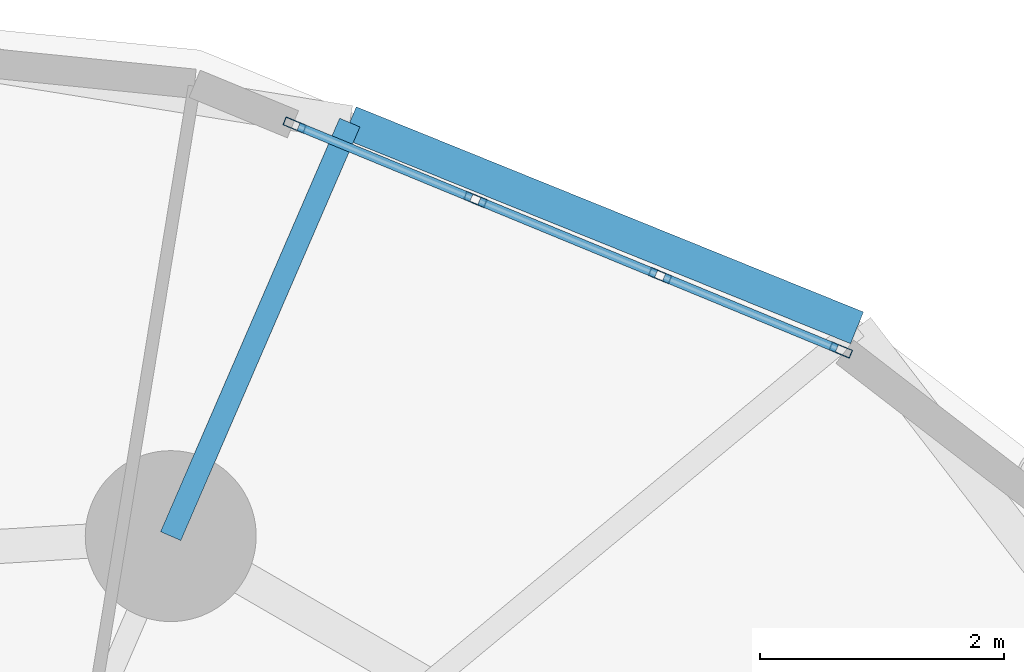
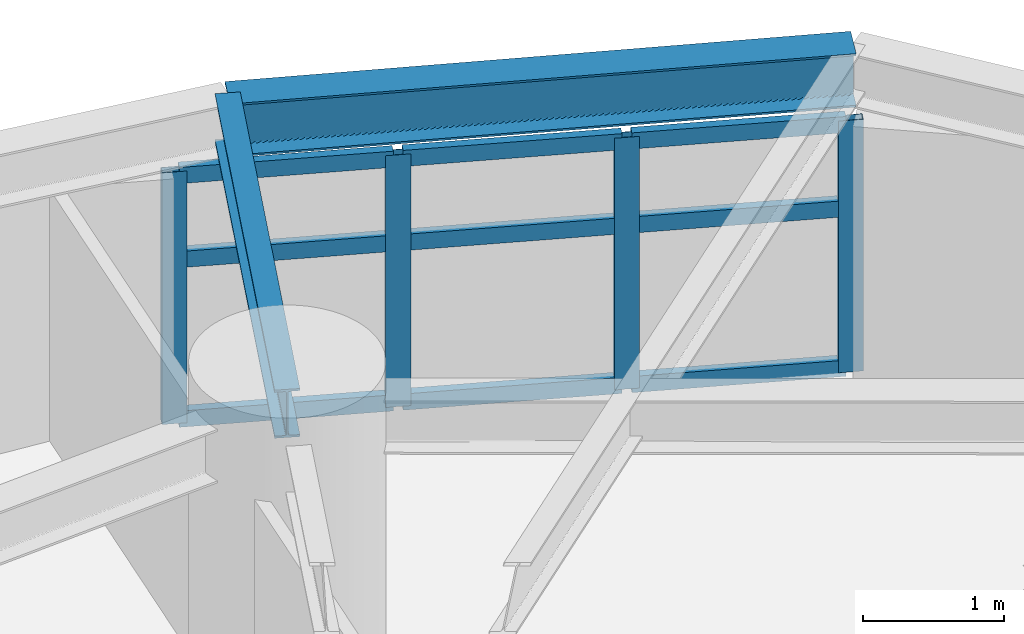
# One storey, part 6 of 17: 13 members, 2 beams, 1 element without a shape of its own.
"""IFC4 building model written with IfcOpenShell, lengths in metres."""

from ifc_helpers import new_model, si_unit, direction, frame, origin, origin_2d, place, context, subcontext, project, spatial, hollow_rectangle, i_section, extrude, material, layer, layer_set, material_profile, profile_set, type_object, element, aggregate, save


model = new_model("IFC4")

# Units and contexts
model_context = context("Model", 3, precision=1e-05, world=origin(), true_north=direction((0.0, 1.0)))
body_context = subcontext(model_context, "Body", "Model", "MODEL_VIEW")
ifc_project = project(units=[si_unit("LENGTHUNIT", "METRE"), si_unit("AREAUNIT", "SQUARE_METRE"), si_unit("VOLUMEUNIT", "CUBIC_METRE"), si_unit("PLANEANGLEUNIT", "RADIAN"), si_unit("MASSUNIT", "GRAM", prefix="KILO")], contexts=[model_context])

# Site, building, storey
site_placement = place(None, origin())
site = spatial("IfcSite", under=ifc_project, at=site_placement, CompositionType="ELEMENT")
building_placement = place(site_placement, origin())
building = spatial("IfcBuilding", under=site, at=building_placement, Name="Cununo Teusaquillo Station Towers", CompositionType="ELEMENT")
storey_placement = place(building_placement, frame((0.0, 0.0, 96.340087890625)))
storey = spatial("IfcBuildingStorey", under=building, at=storey_placement, Name="L30", CompositionType="ELEMENT", Elevation=96.340087890625)

# Beams
ifc_material_1 = material(Name="Steel ASTM A572 Grade 50", Category="steel")
ifc_material_profile_1 = material_profile(ifc_material_1, i_section(OverallWidth=0.180908203125, OverallDepth=0.4169921875, WebThickness=0.010986328125, FlangeThickness=0.018310546875, FilletRadius=0.012939453125, at=origin_2d()), Name="W16X57")
ifc_profile_set_1 = profile_set([ifc_material_profile_1], Name="Steel ASTM A572 Grade 50")
beam_type_1 = type_object("IfcBeamType", Name="BM-RAD-G2", PredefinedType="BEAM", material=ifc_profile_set_1)
beam_1_placement = place(storey_placement, frame((58.291015625, 37.63525390625, 2.46142578125), z_axis=(0.397421761279, 0.917636062751, 0.0), x_axis=(-0.917636062751, 0.397421761279, 0.0)))
element("IfcBeam", 1, at=beam_1_placement, inside=storey, type_object=beam_type_1, Name="L30 Tower B Perimeter Overhang Girder 02B", PredefinedType="BEAM", context=body_context, shape_type="SweptSolid", body=[
    extrude(i_section(OverallWidth=0.180908203125, OverallDepth=0.4169921875, WebThickness=0.010986328125, FlangeThickness=0.018310546875, FilletRadius=0.012939453125, at=origin_2d()), origin(), (0.0, 0.0, 1.0), 3.690185546875),
])
ifc_material_2 = material(Name="Steel ASTM A572 Grade 50", Category="steel")
ifc_material_profile_2 = material_profile(ifc_material_2, i_section(OverallWidth=0.280029296875, OverallDepth=0.462890625, WebThickness=0.0107421875, FlangeThickness=0.017333984375, FilletRadius=0.013916015625, at=origin_2d()), Name="W18X76")
ifc_profile_set_2 = profile_set([ifc_material_profile_2], Name="Steel ASTM A572 Grade 50")
beam_type_2 = type_object("IfcBeamType", Name="BM-RING-Z2", PredefinedType="SPANDREL", material=ifc_profile_set_2)
beam_2_placement = place(storey_placement, frame((63.9111328125, 39.341064453125, 2.4384765625), z_axis=(-0.927007712072, 0.375042266631, 0.0), x_axis=(-0.375042266631, -0.927007712072, 0.0)))
element("IfcBeam", 2, at=beam_2_placement, inside=storey, type_object=beam_type_2, Name="L30 Tower B Spandrel Ring Beam 02", PredefinedType="SPANDREL", context=body_context, shape_type="SweptSolid", body=[
    extrude(i_section(OverallWidth=0.280029296875, OverallDepth=0.462890625, WebThickness=0.0107421875, FlangeThickness=0.017333984375, FilletRadius=0.013916015625, at=origin_2d()), origin(), (0.0, 0.0, 1.0), 4.480712890625),
])

# Curtain wall, members
ifc_material_3 = material(Name="Ceramic-fritted dark low-E double glazing", Category="glass")
ifc_layer = layer(ifc_material_3, 0.179931640625)
ifc_layer_set = layer_set([ifc_layer], Name="Ceramic-fritted dark low-E double glazing")
curtain_wall_type = type_object("IfcCurtainWallType", Name="CW-SYS-04", PredefinedType="USERDEFINED", material=ifc_layer_set)
curtain_wall_placement = place(storey_placement, origin())
curtain_wall = element("IfcCurtainWall", 3, at=curtain_wall_placement, inside=storey, type_object=curtain_wall_type, Name="L30 Tower B Facade Curtain Wall C01", ObjectType="FRITTED GLAZING", PredefinedType="USERDEFINED")
ifc_material_4 = material(Name="Anodised dark bronze aluminium EN AW-6063-T6", Category="aluminium")
ifc_material_profile_3 = material_profile(ifc_material_4, hollow_rectangle(XDim=0.070068359375, YDim=0.179931640625, WallThickness=0.00390625, at=origin_2d()), Name="CW-MULL-70x180")
ifc_profile_set_3 = profile_set([ifc_material_profile_3], Name="Anodised dark bronze aluminium EN AW-6063-T6")
member_type_1 = type_object("IfcMemberType", Name="CWM-180", PredefinedType="MULLION", material=ifc_profile_set_3)
member_1_placement = place(storey_placement, frame((59.3056640625, 41.001953125, 0.0), z_axis=(0.0, 0.0, 1.0), x_axis=(0.381030560176, 0.924562443652, 0.0)))
member_1 = element("IfcMember", 4, at=member_1_placement, type_object=member_type_1, Name="CW-04 mullion 1", PredefinedType="MULLION", context=body_context, shape_type="SweptSolid", body=[
    extrude(hollow_rectangle(XDim=0.070068359375, YDim=0.179931640625, WallThickness=0.00390625, at=origin_2d()), origin(), (0.0, 0.0, 1.0), 2.178955078125),
])
member_2_placement = place(storey_placement, frame((60.785888671875, 40.39208984375, 0.0), z_axis=(0.0, 0.0, 1.0), x_axis=(0.381030560176, 0.924562443652, 0.0)))
member_2 = element("IfcMember", 5, at=member_2_placement, type_object=member_type_1, Name="CW-04 mullion 2", PredefinedType="MULLION", context=body_context, shape_type="SweptSolid", body=[
    extrude(hollow_rectangle(XDim=0.070068359375, YDim=0.179931640625, WallThickness=0.00390625, at=origin_2d()), origin(), (0.0, 0.0, 1.0), 2.178955078125),
])
member_3_placement = place(storey_placement, frame((62.298583984375, 39.7685546875, 0.0), z_axis=(0.0, 0.0, 1.0), x_axis=(0.381030560176, 0.924562443652, 0.0)))
member_3 = element("IfcMember", 6, at=member_3_placement, type_object=member_type_1, Name="CW-04 mullion 3", PredefinedType="MULLION", context=body_context, shape_type="SweptSolid", body=[
    extrude(hollow_rectangle(XDim=0.070068359375, YDim=0.179931640625, WallThickness=0.00390625, at=origin_2d()), origin(), (0.0, 0.0, 1.0), 2.178955078125),
])
member_4_placement = place(storey_placement, frame((63.77880859375, 39.158447265625, 0.0), z_axis=(0.0, 0.0, 1.0), x_axis=(0.381030560176, 0.924562443652, 0.0)))
member_4 = element("IfcMember", 7, at=member_4_placement, type_object=member_type_1, Name="CW-04 mullion 4", PredefinedType="MULLION", context=body_context, shape_type="SweptSolid", body=[
    extrude(hollow_rectangle(XDim=0.070068359375, YDim=0.179931640625, WallThickness=0.00390625, at=origin_2d()), origin(), (0.0, 0.0, 1.0), 2.178955078125),
])
ifc_material_5 = material(Name="Anodised dark bronze aluminium EN AW-6063-T6", Category="aluminium")
ifc_material_profile_4 = material_profile(ifc_material_5, hollow_rectangle(XDim=0.070068359375, YDim=0.139892578125, WallThickness=0.00390625, at=origin_2d()), Name="CW-TRAN-70x140")
ifc_profile_set_4 = profile_set([ifc_material_profile_4], Name="Anodised dark bronze aluminium EN AW-6063-T6")
member_type_2 = type_object("IfcMemberType", Name="CWT-140", PredefinedType="USERDEFINED", material=ifc_profile_set_4)
member_5_placement = place(storey_placement, frame((59.337890625, 40.98876953125, 0.034912109375), z_axis=(0.924532726965, -0.381102659097, 0.0), x_axis=(0.381102659097, 0.924532726965, 0.0)))
member_5 = element("IfcMember", 8, at=member_5_placement, type_object=member_type_2, Name="CW-04 transom 1.1", ObjectType="TRANSOM", PredefinedType="USERDEFINED", context=body_context, shape_type="SweptSolid", body=[
    extrude(hollow_rectangle(XDim=0.070068359375, YDim=0.139892578125, WallThickness=0.00390625, at=origin_2d()), origin(), (0.0, 0.0, 1.0), 1.531005859375),
])
member_6_placement = place(storey_placement, frame((59.337890625, 40.98876953125, 1.416015625), z_axis=(0.924532726965, -0.381102659097, 0.0), x_axis=(0.381102659097, 0.924532726965, 0.0)))
member_6 = element("IfcMember", 9, at=member_6_placement, type_object=member_type_2, Name="CW-04 transom 1.2", ObjectType="TRANSOM", PredefinedType="USERDEFINED", context=body_context, shape_type="SweptSolid", body=[
    extrude(hollow_rectangle(XDim=0.070068359375, YDim=0.139892578125, WallThickness=0.00390625, at=origin_2d()), origin(), (0.0, 0.0, 1.0), 1.531005859375),
])
member_7_placement = place(storey_placement, frame((59.337890625, 40.98876953125, 2.143798828125), z_axis=(0.924532726965, -0.381102659097, 0.0), x_axis=(0.381102659097, 0.924532726965, 0.0)))
member_7 = element("IfcMember", 10, at=member_7_placement, type_object=member_type_2, Name="CW-04 transom 1.3", ObjectType="TRANSOM", PredefinedType="USERDEFINED", context=body_context, shape_type="SweptSolid", body=[
    extrude(hollow_rectangle(XDim=0.070068359375, YDim=0.139892578125, WallThickness=0.00390625, at=origin_2d()), origin(), (0.0, 0.0, 1.0), 1.531005859375),
])
member_8_placement = place(storey_placement, frame((60.818115234375, 40.378662109375, 0.034912109375), z_axis=(0.924577983912, -0.380992849887, 0.0), x_axis=(0.380992849887, 0.924577983912, 0.0)))
member_8 = element("IfcMember", 11, at=member_8_placement, type_object=member_type_2, Name="CW-04 transom 2.1", ObjectType="TRANSOM", PredefinedType="USERDEFINED", context=body_context, shape_type="SweptSolid", body=[
    extrude(hollow_rectangle(XDim=0.070068359375, YDim=0.139892578125, WallThickness=0.00390625, at=origin_2d()), origin(), (0.0, 0.0, 1.0), 1.566162109375),
])
member_9_placement = place(storey_placement, frame((60.818115234375, 40.378662109375, 1.416015625), z_axis=(0.924577983912, -0.380992849887, 0.0), x_axis=(0.380992849887, 0.924577983912, 0.0)))
member_9 = element("IfcMember", 12, at=member_9_placement, type_object=member_type_2, Name="CW-04 transom 2.2", ObjectType="TRANSOM", PredefinedType="USERDEFINED", context=body_context, shape_type="SweptSolid", body=[
    extrude(hollow_rectangle(XDim=0.070068359375, YDim=0.139892578125, WallThickness=0.00390625, at=origin_2d()), origin(), (0.0, 0.0, 1.0), 1.566162109375),
])
member_10_placement = place(storey_placement, frame((60.818115234375, 40.378662109375, 2.143798828125), z_axis=(0.924577983912, -0.380992849887, 0.0), x_axis=(0.380992849887, 0.924577983912, 0.0)))
member_10 = element("IfcMember", 13, at=member_10_placement, type_object=member_type_2, Name="CW-04 transom 2.3", ObjectType="TRANSOM", PredefinedType="USERDEFINED", context=body_context, shape_type="SweptSolid", body=[
    extrude(hollow_rectangle(XDim=0.070068359375, YDim=0.139892578125, WallThickness=0.00390625, at=origin_2d()), origin(), (0.0, 0.0, 1.0), 1.566162109375),
])
member_11_placement = place(storey_placement, frame((62.330810546875, 39.75537109375, 0.034912109375), z_axis=(0.924555881283, -0.381046483233, 0.0), x_axis=(0.381046483233, 0.924555881283, 0.0)))
member_11 = element("IfcMember", 14, at=member_11_placement, type_object=member_type_2, Name="CW-04 transom 3.1", ObjectType="TRANSOM", PredefinedType="USERDEFINED", context=body_context, shape_type="SweptSolid", body=[
    extrude(hollow_rectangle(XDim=0.070068359375, YDim=0.139892578125, WallThickness=0.00390625, at=origin_2d()), origin(), (0.0, 0.0, 1.0), 1.53125),
])
member_12_placement = place(storey_placement, frame((62.330810546875, 39.75537109375, 1.416015625), z_axis=(0.924555881283, -0.381046483233, 0.0), x_axis=(0.381046483233, 0.924555881283, 0.0)))
member_12 = element("IfcMember", 15, at=member_12_placement, type_object=member_type_2, Name="CW-04 transom 3.2", ObjectType="TRANSOM", PredefinedType="USERDEFINED", context=body_context, shape_type="SweptSolid", body=[
    extrude(hollow_rectangle(XDim=0.070068359375, YDim=0.139892578125, WallThickness=0.00390625, at=origin_2d()), origin(), (0.0, 0.0, 1.0), 1.53125),
])
member_13_placement = place(storey_placement, frame((62.330810546875, 39.75537109375, 2.143798828125), z_axis=(0.924555881283, -0.381046483233, 0.0), x_axis=(0.381046483233, 0.924555881283, 0.0)))
member_13 = element("IfcMember", 16, at=member_13_placement, type_object=member_type_2, Name="CW-04 transom 3.3", ObjectType="TRANSOM", PredefinedType="USERDEFINED", context=body_context, shape_type="SweptSolid", body=[
    extrude(hollow_rectangle(XDim=0.070068359375, YDim=0.139892578125, WallThickness=0.00390625, at=origin_2d()), origin(), (0.0, 0.0, 1.0), 1.53125),
])
aggregate(curtain_wall, [member_1, member_2, member_3, member_4, member_5, member_6, member_7, member_8, member_9, member_10, member_11, member_12, member_13])

save(model, "model.ifc")
